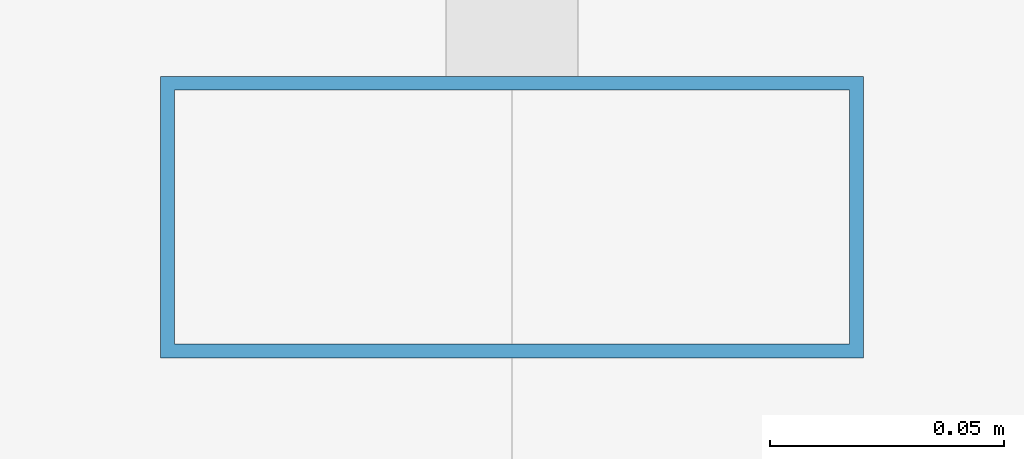
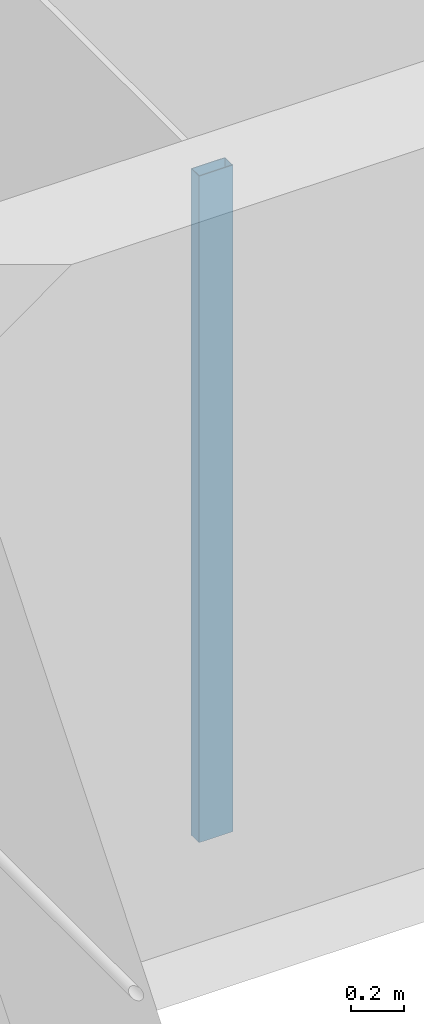
# One storey, part 11 of 30: 1 member, 1 element without a shape of its own.
"""IFC4 building model written with IfcOpenShell, lengths in metres."""

from ifc_helpers import new_model, si_unit, direction, frame, origin, origin_2d, place, context, subcontext, project, spatial, hollow_rectangle, extrude, material, material_profile, profile_set, type_object, element, aggregate, save


model = new_model("IFC4")

# Units and contexts
model_context = context("Model", 3, precision=1e-05, world=origin(), true_north=direction((0.0, 1.0)))
body_context = subcontext(model_context, "Body", "Model", "MODEL_VIEW")
ifc_project = project(units=[si_unit("LENGTHUNIT", "METRE"), si_unit("AREAUNIT", "SQUARE_METRE"), si_unit("VOLUMEUNIT", "CUBIC_METRE"), si_unit("PLANEANGLEUNIT", "RADIAN"), si_unit("MASSUNIT", "GRAM", prefix="KILO")], contexts=[model_context])

# Site, building, storey
site_placement = place(None, origin())
site = spatial("IfcSite", under=ifc_project, at=site_placement, CompositionType="ELEMENT")
building_placement = place(site_placement, origin())
building = spatial("IfcBuilding", under=site, at=building_placement, Name="Altepetl Exchange Towers", CompositionType="ELEMENT")
storey_placement = place(building_placement, frame((0.0, 0.0, 231.60009765625)))
storey = spatial("IfcBuildingStorey", under=building, at=storey_placement, Name="L59", CompositionType="ELEMENT", Elevation=231.60009765625)

# Curtain wall, member
ifc_material_1 = material(Name="Aluminium 6063-T6 glazing", Category="aluminium")
curtain_wall_type = type_object("IfcCurtainWallType", Name="Loggia glazing system", PredefinedType="NOTDEFINED", material=ifc_material_1)
curtain_wall_placement = place(storey_placement, origin())
curtain_wall = element("IfcCurtainWall", 1, at=curtain_wall_placement, inside=storey, type_object=curtain_wall_type, Name="CW1 run", PredefinedType="NOTDEFINED")
ifc_material_2 = material(Name="Aluminium 6063-T6", Category="aluminium")
ifc_material_profile = material_profile(ifc_material_2, hollow_rectangle(XDim=0.06005859375, YDim=0.14990234375, WallThickness=0.0029296875, at=origin_2d()), Name="Mullion 60x150 aluminium")
ifc_profile_set = profile_set([ifc_material_profile], Name="Aluminium 6063-T6")
member_type = type_object("IfcMemberType", Name="Mullion 60x150 aluminium", PredefinedType="MULLION", material=ifc_profile_set)
member_placement = place(storey_placement, frame((42.5, 58.60498046875, 0.0), z_axis=(0.0, 0.0, 1.0), x_axis=(0.0, -1.0, 0.0)))
member = element("IfcMember", 2, at=member_placement, type_object=member_type, Name="MU1 mullion", PredefinedType="MULLION", context=body_context, shape_type="SweptSolid", body=[
    extrude(hollow_rectangle(XDim=0.06005859375, YDim=0.14990234375, WallThickness=0.0029296875, at=origin_2d()), origin(), (0.0, 0.0, 1.0), 3.099853515625),
])
aggregate(curtain_wall, [member])

save(model, "model.ifc")
